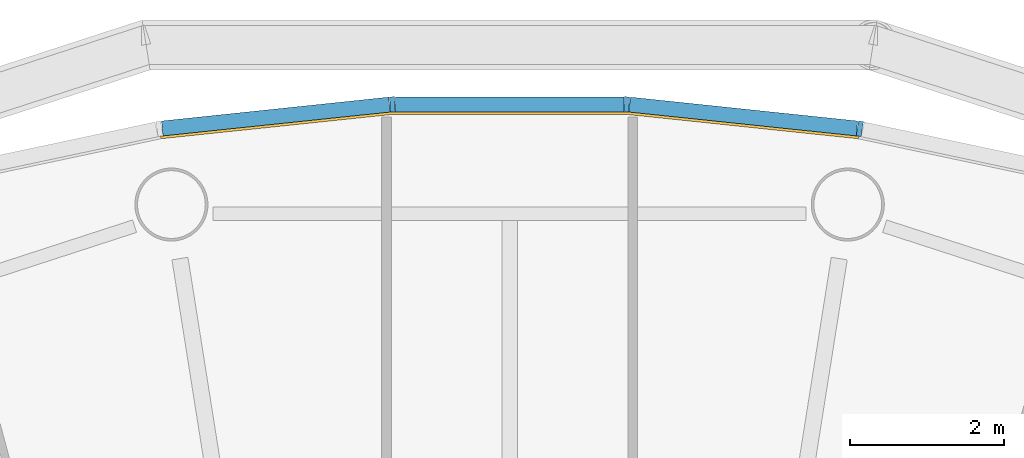
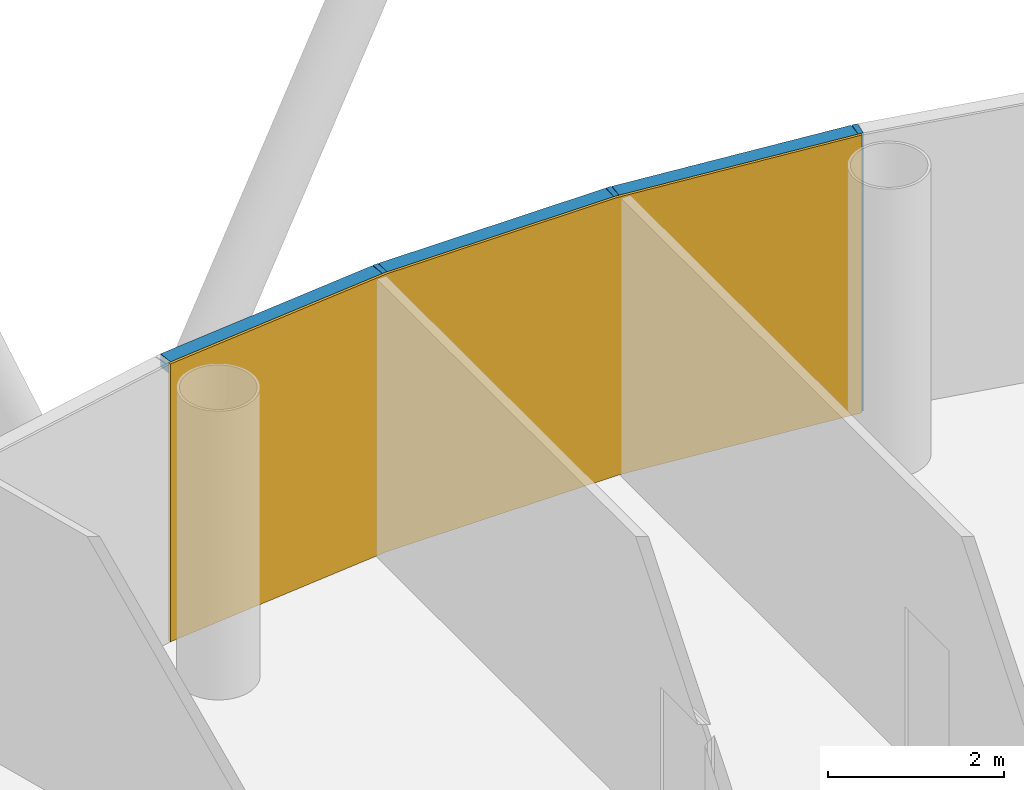
# One storey, part 11 of 13: 6 members, 1 curtain wall.
"""IFC4 building model written with IfcOpenShell, lengths in metres."""

import ifcopenshell
import ifcopenshell.guid

model = None  # the IFC model being written
_history = None  # IfcOwnerHistory: only IFC2X3 demands one
_inside = {}  # id of a spatial element -> (the spatial element, [elements in it])
_under = {}  # id of a project, library or spatial element -> (it, [spatial elements below it])
_declared = {}  # id of a project -> (the project, [libraries it declares])
_typed = {}  # id of a type object -> (the type object, [elements of that type])
_made_of = {}  # id of a material, layer set ... -> (it, [elements and type objects made of it])


def new_model(schema):
    """Start an empty IFC model of exactly this schema.

    Asked for "IFC4X3", IfcOpenShell would pick the latest addendum, in which some entities
    have other attributes; the version numbers below select the first issue.
    IFC2X3 requires an IfcOwnerHistory on every rooted entity: one is made here for all.
    """
    global model, _history
    if schema == "IFC4X3":
        model = ifcopenshell.file(schema_version=(4, 3, 0, 0))
    else:
        model = ifcopenshell.file(schema=schema)
    _inside.clear()
    _under.clear()
    _declared.clear()
    _typed.clear()
    _made_of.clear()
    _history = None
    if model.schema == "IFC2X3":
        org = make("IfcOrganization", Name="unknown")
        user = make(
            "IfcPersonAndOrganization",
            ThePerson=make("IfcPerson", FamilyName="unknown"),
            TheOrganization=org,
        )
        app = make(
            "IfcApplication",
            ApplicationDeveloper=org,
            Version="unknown",
            ApplicationFullName="unknown",
            ApplicationIdentifier="unknown",
        )
        _history = make(
            "IfcOwnerHistory",
            OwningUser=user,
            OwningApplication=app,
            ChangeAction="ADDED",
            CreationDate=0,
        )
    return model


def make(cls, **values):
    """One entity of the class cls with the attributes given. An attribute that is None is left unset."""
    return model.create_entity(
        cls, **{name: value for name, value in values.items() if value is not None}
    )


def rooted(cls, **values):
    """An entity with a GlobalId (a new one), such as an element, a storey or a relation."""
    return make(cls, GlobalId=ifcopenshell.guid.new(), OwnerHistory=_history, **values)


def si_unit(unit_type, name, prefix=None):
    """IfcSIUnit, for example si_unit("LENGTHUNIT", "METRE", prefix="MILLI")."""
    return make("IfcSIUnit", UnitType=unit_type, Prefix=prefix, Name=name)


def assignment(units):
    """IfcUnitAssignment: the units of a project."""
    return None if units is None else make("IfcUnitAssignment", Units=units)


def point(xyz):
    """IfcCartesianPoint."""
    return None if xyz is None else make("IfcCartesianPoint", Coordinates=xyz)


def direction(xyz):
    """IfcDirection."""
    return None if xyz is None else make("IfcDirection", DirectionRatios=xyz)


def frame(location, z_axis=None, x_axis=None):
    """IfcAxis2Placement3D, a coordinate frame: its origin and axes. An axis left out is left unset."""
    return make(
        "IfcAxis2Placement3D",
        Location=point(location),
        Axis=direction(z_axis),
        RefDirection=direction(x_axis),
    )


def frame_2d(location, x_axis=None):
    """IfcAxis2Placement2D, a coordinate frame in the plane: its origin and x axis."""
    return make(
        "IfcAxis2Placement2D", Location=point(location), RefDirection=direction(x_axis)
    )


def origin():
    """The frame at (0, 0, 0) with its axes left unset."""
    return frame((0.0, 0.0, 0.0))


def origin_2d():
    """The frame at (0, 0) in the plane with its x axis left unset."""
    return frame_2d((0.0, 0.0))


def place(relative_to, where):
    """IfcLocalPlacement: puts the frame where relative to a parent placement (None: the world)."""
    return make(
        "IfcLocalPlacement", PlacementRelTo=relative_to, RelativePlacement=where
    )


def context(
    kind, dimensions, precision=None, world=None, true_north=None, identifier=None
):
    """IfcGeometricRepresentationContext, for example the 3D "Model" context."""
    return make(
        "IfcGeometricRepresentationContext",
        ContextIdentifier=identifier,
        ContextType=kind,
        CoordinateSpaceDimension=dimensions,
        Precision=precision,
        WorldCoordinateSystem=world,
        TrueNorth=true_north,
    )


def subcontext(parent, identifier, kind, view, scale=None):
    """IfcGeometricRepresentationSubContext, for example "Body" below "Model"."""
    return make(
        "IfcGeometricRepresentationSubContext",
        ContextIdentifier=identifier,
        ContextType=kind,
        ParentContext=parent,
        TargetScale=scale,
        TargetView=view,
    )


def project(units=None, contexts=None):
    """IfcProject with its units and contexts."""
    return rooted(
        "IfcProject",
        Name="project",
        RepresentationContexts=contexts,
        UnitsInContext=assignment(units),
    )


def spatial(cls, under=None, at=None, **own):
    """A site, building, storey or space (cls), placed at a placement, below another one or the project."""
    s = rooted(cls, ObjectPlacement=at, **own)
    if under is not None:
        _under.setdefault(under.id(), (under, []))[1].append(s)
    return s


def polyline(points):
    """IfcPolyline through the points."""
    return make("IfcPolyline", Points=[point(p) for p in points])


def profile(cls, at=None, kind="AREA", **sizes):
    """A parametric profile (cls). Its sizes go by their IFC names, for example OverallWidth=200.0."""
    return make(cls, ProfileType=kind, Position=at, **sizes)


def rectangle(**sizes):
    """IfcRectangleProfileDef."""
    return profile("IfcRectangleProfileDef", **sizes)


def outline(outer, holes=None, kind="AREA"):
    """IfcArbitraryClosedProfileDef: a profile drawn as a closed curve; with holes, ...WithVoids."""
    if holes is None:
        return make("IfcArbitraryClosedProfileDef", ProfileType=kind, OuterCurve=outer)
    return make(
        "IfcArbitraryProfileDefWithVoids",
        ProfileType=kind,
        OuterCurve=outer,
        InnerCurves=holes,
    )


def extrude(swept, where, along, depth):
    """IfcExtrudedAreaSolid: the profile swept, set in the frame where, extruded along a direction by depth."""
    return make(
        "IfcExtrudedAreaSolid",
        SweptArea=swept,
        Position=where,
        ExtrudedDirection=direction(along),
        Depth=depth,
    )


def shape(context_of_items, identifier, shape_type, items):
    """IfcShapeRepresentation: the items that make up one representation, for example the "Body"."""
    return make(
        "IfcShapeRepresentation",
        ContextOfItems=context_of_items,
        RepresentationIdentifier=identifier,
        RepresentationType=shape_type,
        Items=items,
    )


def material(Name=None, Category=None):
    """IfcMaterial."""
    return make("IfcMaterial", Name=Name, Category=Category)


def layer(
    of_material, thickness, ventilated=None, Name=None, Category=None, Priority=None
):
    """IfcMaterialLayer: one layer of a wall or slab, of a material (None: an air gap)."""
    return make(
        "IfcMaterialLayer",
        Material=of_material,
        LayerThickness=thickness,
        IsVentilated=ventilated,
        Name=Name,
        Category=Category,
        Priority=Priority,
    )


def layer_set(layers, Name=None):
    """IfcMaterialLayerSet."""
    return make("IfcMaterialLayerSet", MaterialLayers=layers, LayerSetName=Name)


def material_profile(
    of_material, cross_section, Name=None, Category=None, Priority=None
):
    """IfcMaterialProfile: a cross section and its material."""
    return make(
        "IfcMaterialProfile",
        Name=Name,
        Material=of_material,
        Profile=cross_section,
        Priority=Priority,
        Category=Category,
    )


def profile_set(profiles, Name=None, composite=None):
    """IfcMaterialProfileSet."""
    return make(
        "IfcMaterialProfileSet",
        Name=Name,
        MaterialProfiles=profiles,
        CompositeProfile=composite,
    )


def made_of(thing, what):
    """Note that an element or type object is made of a material, layer set ...; save() writes the relation."""
    if what is not None:
        _made_of.setdefault(what.id(), (what, []))[1].append(thing)
    return thing


def type_object(cls, material=None, **own):
    """A type object (cls), such as IfcWallType, which elements share."""
    return made_of(rooted(cls, **own), material)


def element(
    cls,
    number,
    at=None,
    inside=None,
    cuts=None,
    type_object=None,
    material=None,
    context=None,
    identifier="Body",
    shape_type=None,
    held_by="IfcProductDefinitionShape",
    body=None,
    shapes=None,
    **own,
):
    """One element of the class cls, such as IfcWall. Its Tag is "e" and its number.

    at: its placement. inside: the storey or other place that contains it. cuts: it is an
    opening in that element (IfcRelVoidsElement). A single representation is given by context,
    identifier, shape_type and body (its items); several are given by shapes. held_by: the class
    of the entity that holds the representations. save() writes the other relations.
    """
    e = rooted(cls, Tag="e%d" % number, ObjectPlacement=at, **own)
    if body is not None:
        shapes = [shape(context, identifier, shape_type, body)]
    if shapes is not None:
        e.Representation = make(held_by, Representations=shapes)
    if inside is not None:
        _inside.setdefault(inside.id(), (inside, []))[1].append(e)
    if cuts is not None:
        rooted(
            "IfcRelVoidsElement", RelatingBuildingElement=cuts, RelatedOpeningElement=e
        )
    if type_object is not None:
        _typed.setdefault(type_object.id(), (type_object, []))[1].append(e)
    return made_of(e, material)


def aggregate(whole, parts):
    """IfcRelAggregates: a whole, such as a stair, and the parts it consists of."""
    return rooted("IfcRelAggregates", RelatingObject=whole, RelatedObjects=parts)


def save(model, path):
    """Write the relations noted so far, then the file.

    IfcRelAggregates (storeys below a building ...), IfcRelContainedInSpatialStructure (elements
    in a storey), IfcRelDefinesByType, IfcRelAssociatesMaterial and IfcRelDeclares: one each for
    every whole, place, type object, material and project.
    """
    for whole, parts in _under.values():
        aggregate(whole, parts)
    for where, things in _inside.values():
        rooted(
            "IfcRelContainedInSpatialStructure",
            RelatedElements=things,
            RelatingStructure=where,
        )
    for kind, things in _typed.values():
        rooted("IfcRelDefinesByType", RelatedObjects=things, RelatingType=kind)
    for what, things in _made_of.values():
        rooted("IfcRelAssociatesMaterial", RelatedObjects=things, RelatingMaterial=what)
    for by, libraries in _declared.values():
        rooted("IfcRelDeclares", RelatingContext=by, RelatedDefinitions=libraries)
    model.write(path)


model = new_model("IFC4")

# Units and contexts
model_context = context("Model", 3, precision=1e-05, world=origin(), true_north=direction((0.0, 1.0)))
body_context = subcontext(model_context, "Body", "Model", "MODEL_VIEW")
ifc_project = project(units=[si_unit("LENGTHUNIT", "METRE"), si_unit("AREAUNIT", "SQUARE_METRE"), si_unit("VOLUMEUNIT", "CUBIC_METRE"), si_unit("PLANEANGLEUNIT", "RADIAN"), si_unit("MASSUNIT", "GRAM", prefix="KILO")], contexts=[model_context])

# Member
ifc_material_1 = material(Name="Anodised aluminium", Category="aluminium")
ifc_material_profile_1 = material_profile(ifc_material_1, rectangle(XDim=0.06494140625, YDim=0.195068359375, at=origin_2d()), Name="Mullion 65 x 195 mm anodised aluminium")
ifc_profile_set_1 = profile_set([ifc_material_profile_1], Name="Anodised aluminium")
member_type_1 = type_object("IfcMemberType", Name="Mullion 65 x 195 mm anodised aluminium", PredefinedType="MULLION", material=ifc_profile_set_1)
site_placement = place(None, origin())
building_placement = place(site_placement, origin())
storey_placement = place(building_placement, frame((0.0, 0.0, 274.0)))
member_1_placement = place(storey_placement, frame((94.5517578125, 108.7392578125, 0.0), z_axis=(0.0, 0.0, 1.0), x_axis=(-0.987688340595, 0.15643446504, 0.0)))
member_1 = element("IfcMember", 1, at=member_1_placement, type_object=member_type_1, Name="MULLION L62-12", PredefinedType="MULLION", context=body_context, shape_type="SweptSolid", body=[
    extrude(rectangle(XDim=0.06494140625, YDim=0.195068359375, at=origin_2d()), origin(), (0.0, 0.0, 1.0), 3.85009765625),
])

member_2_placement = place(storey_placement, frame((91.52294921875, 109.0576171875, 0.0), z_axis=(0.0, 0.0, 1.0), x_axis=(-0.998629534755, 0.052335956243, 0.0)))
member_2 = element("IfcMember", 2, at=member_2_placement, type_object=member_type_1, Name="MULLION L62-13", PredefinedType="MULLION", context=body_context, shape_type="SweptSolid", body=[
    extrude(rectangle(XDim=0.06494140625, YDim=0.195068359375, at=origin_2d()), origin(), (0.0, 0.0, 1.0), 3.85009765625),
])

member_3_placement = place(storey_placement, frame((88.47705078125, 109.0576171875, 0.0), z_axis=(0.0, 0.0, 1.0), x_axis=(-0.998629534755, -0.052335956243, 0.0)))
member_3 = element("IfcMember", 3, at=member_3_placement, type_object=member_type_1, Name="MULLION L62-14", PredefinedType="MULLION", context=body_context, shape_type="SweptSolid", body=[
    extrude(rectangle(XDim=0.06494140625, YDim=0.195068359375, at=origin_2d()), origin(), (0.0, 0.0, 1.0), 3.85009765625),
])

ifc_material_2 = material(Name="Anodised aluminium", Category="aluminium")
ifc_material_profile_2 = material_profile(ifc_material_2, rectangle(XDim=0.195068359375, YDim=0.179931640625, at=origin_2d()), Name="Transom 180 x 195 mm anodised aluminium")
ifc_profile_set_2 = profile_set([ifc_material_profile_2], Name="Anodised aluminium")
member_type_2 = type_object("IfcMemberType", Name="Transom 180 x 195 mm anodised aluminium", PredefinedType="USERDEFINED", material=ifc_profile_set_2)
member_4_placement = place(storey_placement, frame((94.514404296875, 108.743408203125, 3.760009765625), z_axis=(-0.994528397827, 0.104466577987, 0.0), x_axis=(-0.104466577987, -0.994528397827, 0.0)))
member_4 = element("IfcMember", 4, at=member_4_placement, type_object=member_type_2, Name="TRANSOM L62-12", ObjectType="TRANSOM", PredefinedType="USERDEFINED", context=body_context, shape_type="SweptSolid", body=[
    extrude(rectangle(XDim=0.195068359375, YDim=0.179931640625, at=origin_2d()), origin(), (0.0, 0.0, 1.0), 2.970458984375),
])

member_5_placement = place(storey_placement, frame((91.4853515625, 109.057861328125, 3.760009765625), z_axis=(-1.0, 0.0, 0.0), x_axis=(0.0, -1.0, 0.0)))
member_5 = element("IfcMember", 5, at=member_5_placement, type_object=member_type_2, Name="TRANSOM L62-13", ObjectType="TRANSOM", PredefinedType="USERDEFINED", context=body_context, shape_type="SweptSolid", body=[
    extrude(rectangle(XDim=0.195068359375, YDim=0.179931640625, at=origin_2d()), origin(), (0.0, 0.0, 1.0), 2.970703125),
])

member_6_placement = place(storey_placement, frame((88.439697265625, 109.0537109375, 3.760009765625), z_axis=(-0.994528397827, -0.104466577987, 0.0), x_axis=(0.104466577987, -0.994528397827, 0.0)))
member_6 = element("IfcMember", 6, at=member_6_placement, type_object=member_type_2, Name="TRANSOM L62-14", ObjectType="TRANSOM", PredefinedType="USERDEFINED", context=body_context, shape_type="SweptSolid", body=[
    extrude(rectangle(XDim=0.195068359375, YDim=0.179931640625, at=origin_2d()), origin(), (0.0, 0.0, 1.0), 2.970458984375),
])

# Site, building, storey
site = spatial("IfcSite", under=ifc_project, at=site_placement, CompositionType="ELEMENT")
building = spatial("IfcBuilding", under=site, at=building_placement, Name="Entoto Ring Tower", CompositionType="ELEMENT")
storey = spatial("IfcBuildingStorey", under=building, at=storey_placement, Name="L62", CompositionType="ELEMENT", Elevation=274.0)

# Curtain wall
ifc_material_3 = material(Name="Clear low-iron glass", Category="glass")
ifc_layer = layer(ifc_material_3, 0.033935546875)
ifc_layer_set = layer_set([ifc_layer], Name="Clear low-iron glass")
curtain_wall_type = type_object("IfcCurtainWallType", Name="Curtain wall system CW5 glazing 34 mm", PredefinedType="NOTDEFINED", material=ifc_layer_set)
curtain_wall_placement = place(storey_placement, origin())
curtain_wall = element("IfcCurtainWall", 7, at=curtain_wall_placement, inside=storey, type_object=curtain_wall_type, Name="CW5 L62-05", PredefinedType="NOTDEFINED", context=body_context, shape_type="SweptSolid", body=[
    extrude(outline(polyline([(94.53662109375, 108.64306640625), (91.517822265625, 108.960205078125), (88.482177734375, 108.960205078125), (85.46337890625, 108.64306640625), (85.46875, 108.609375), (88.484130859375, 108.92626953125), (91.515869140625, 108.92626953125), (94.53125, 108.609375), (94.53662109375, 108.64306640625)])), origin(), (0.0, 0.0, 1.0), 3.85009765625),
])

aggregate(curtain_wall, [member_1, member_2, member_3, member_4, member_5, member_6])

save(model, "model.ifc")
